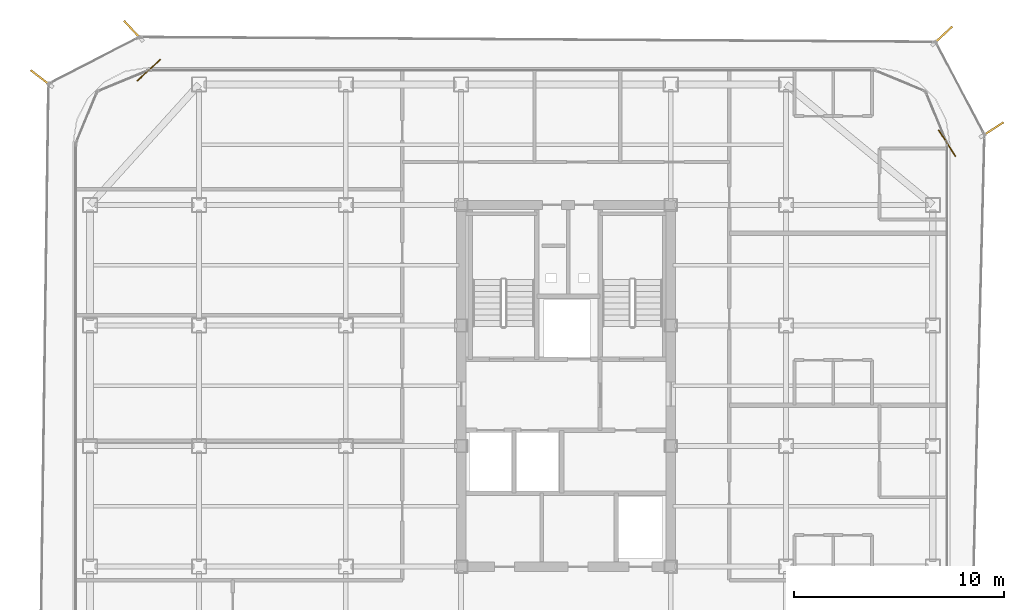
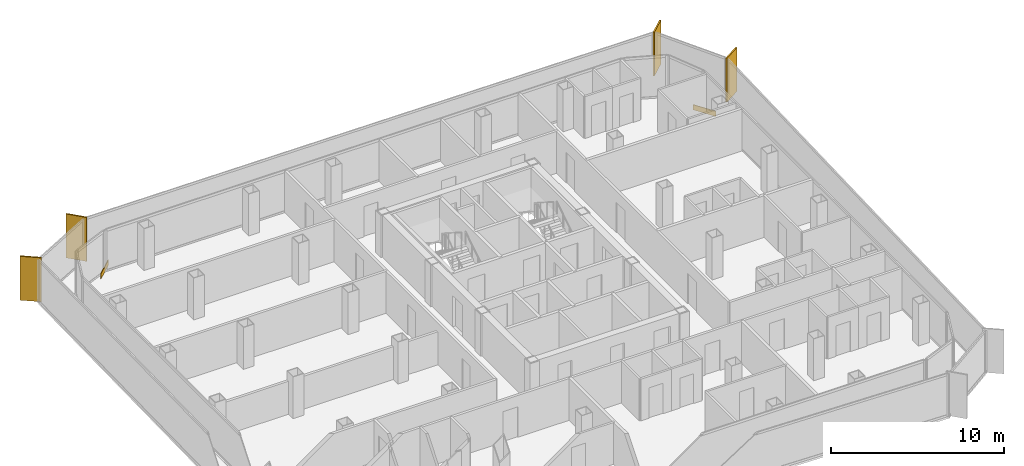
# One storey, part 15 of 15: 4 shading devices, 2 coverings.
"""IFC4 building model written with IfcOpenShell, lengths in metres."""

from ifc_helpers import new_model, si_unit, direction, frame, origin, origin_2d, place, context, subcontext, project, spatial, rectangle, extrude, source, transform, mapped, material, layer, layer_set, type_object, element, save


model = new_model("IFC4")

# Units and contexts
model_context = context("Model", 3, precision=1e-05, world=origin(), true_north=direction((0.0, 1.0)))
body_context = subcontext(model_context, "Body", "Model", "MODEL_VIEW")
ifc_project = project(units=[si_unit("LENGTHUNIT", "METRE"), si_unit("AREAUNIT", "SQUARE_METRE"), si_unit("VOLUMEUNIT", "CUBIC_METRE"), si_unit("PLANEANGLEUNIT", "RADIAN"), si_unit("MASSUNIT", "GRAM", prefix="KILO")], contexts=[model_context])

# Site, building, storey
site_placement = place(None, origin())
site = spatial("IfcSite", under=ifc_project, at=site_placement, CompositionType="ELEMENT")
building_placement = place(site_placement, origin())
building = spatial("IfcBuilding", under=site, at=building_placement, Name="Kolveth Station Tower", CompositionType="ELEMENT")
storey_placement = place(building_placement, frame((0.0, 0.0, 202.800048828125)))
storey = spatial("IfcBuildingStorey", under=building, at=storey_placement, Name="L57", CompositionType="ELEMENT", Elevation=202.800048828125)

# Shading devices
ifc_material_1 = material(Name="Black anodized aluminium 6063-T6", Category="aluminium")
shading_device_type = type_object("IfcShadingDeviceType", Name="FIN_VF1", PredefinedType="USERDEFINED", material=ifc_material_1)
shared_shape_1 = source(origin(), body_context, "Body", "SweptSolid", [
    extrude(rectangle(XDim=1.25, YDim=0.090087890625, at=origin_2d()), origin(), (0.0, 0.0, 1.0), 3.10009765625),
])
for number, where, z_axis, x_axis, name in (
    (1, (43.845947265625, 32.35498046875, 0.0), (0.0, 0.0, 1.0), (0.841981910079, 0.539505758171, 0.0), "L57 Dark-Aluminium Solar Fin 3"),
    (2, (41.467041015625, 36.8330078125, 0.0), (0.0, 0.0, 1.0), (0.731234659312, 0.682125994975, 0.0), "L57 Dark-Aluminium Solar Fin 4"),
    (3, (2.839111328125, 37.0849609375, 0.0), (0.0, 0.0, 1.0), (-0.680720868959, 0.732542898787, 0.0), "L57 Dark-Aluminium Solar Fin 5"),
    (4, (-1.5380859375, 34.800048828125, 0.0), (0.0, 0.0, 1.0), (-0.794520615517, 0.607237178966, 0.0), "L57 Dark-Aluminium Solar Fin 6"),
):
    element("IfcShadingDevice", number, at=place(storey_placement, frame(where, z_axis=z_axis, x_axis=x_axis)), inside=storey, type_object=shading_device_type, Name=name, ObjectType="FIN", PredefinedType="USERDEFINED", context=body_context, shape_type="MappedRepresentation", body=[
        mapped(shared_shape_1, transform((0.0, 0.0, 0.0), x_axis=(1.0, 0.0, 0.0), y_axis=(0.0, 1.0, 0.0), z_axis=(0.0, 0.0, 1.0), scale=1.0)),
    ])

# Coverings
ifc_material_2 = material(Name="Charcoal anodized aluminium spandrel cladding", Category="aluminium")
ifc_layer = layer(ifc_material_2, 0.044921875)
ifc_layer_set = layer_set([ifc_layer], Name="Charcoal anodized aluminium spandrel cladding")
covering_type = type_object("IfcCoveringType", Name="Clad_CD1", PredefinedType="CLADDING", material=ifc_layer_set)
shared_shape_2 = source(origin(), body_context, "Body", "SweptSolid", [
    extrude(rectangle(XDim=1.5, YDim=0.044921875, at=origin_2d()), origin(), (0.0, 0.0, 1.0), 0.360107421875),
])
for number, where, z_axis, x_axis, name in (
    (5, (41.679931640625, 31.699951171875, 0.0), (0.0, 0.0, 1.0), (-0.539505758171, 0.841981910079, 0.0), "L57 Spandrel Edge Cladding 3"),
    (6, (3.60009765625, 35.179931640625, 0.0), (0.0, 0.0, 1.0), (-0.732542898787, -0.680720868959, 0.0), "L57 Spandrel Edge Cladding 5"),
):
    element("IfcCovering", number, at=place(storey_placement, frame(where, z_axis=z_axis, x_axis=x_axis)), inside=storey, type_object=covering_type, Name=name, PredefinedType="CLADDING", context=body_context, shape_type="MappedRepresentation", body=[
        mapped(shared_shape_2, transform((0.0, 0.0, 0.0), x_axis=(1.0, 0.0, 0.0), y_axis=(0.0, 1.0, 0.0), z_axis=(0.0, 0.0, 1.0), scale=1.0)),
    ])

save(model, "model.ifc")
